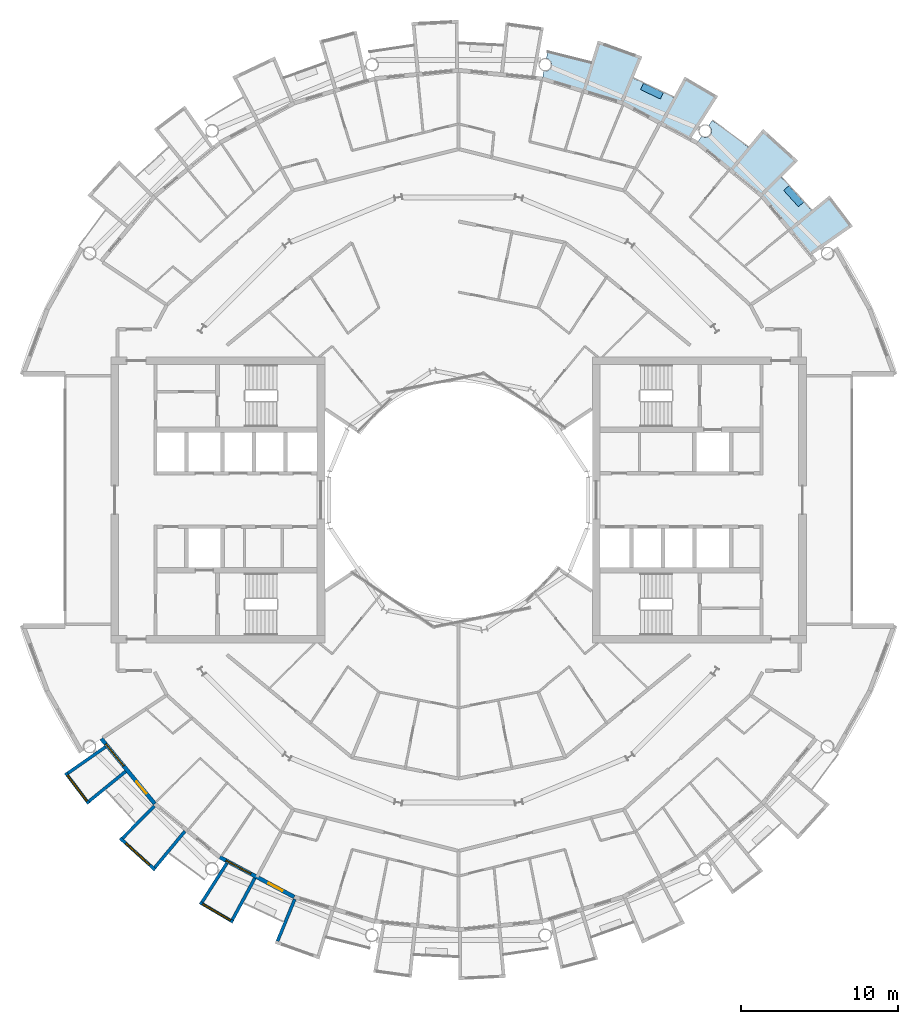
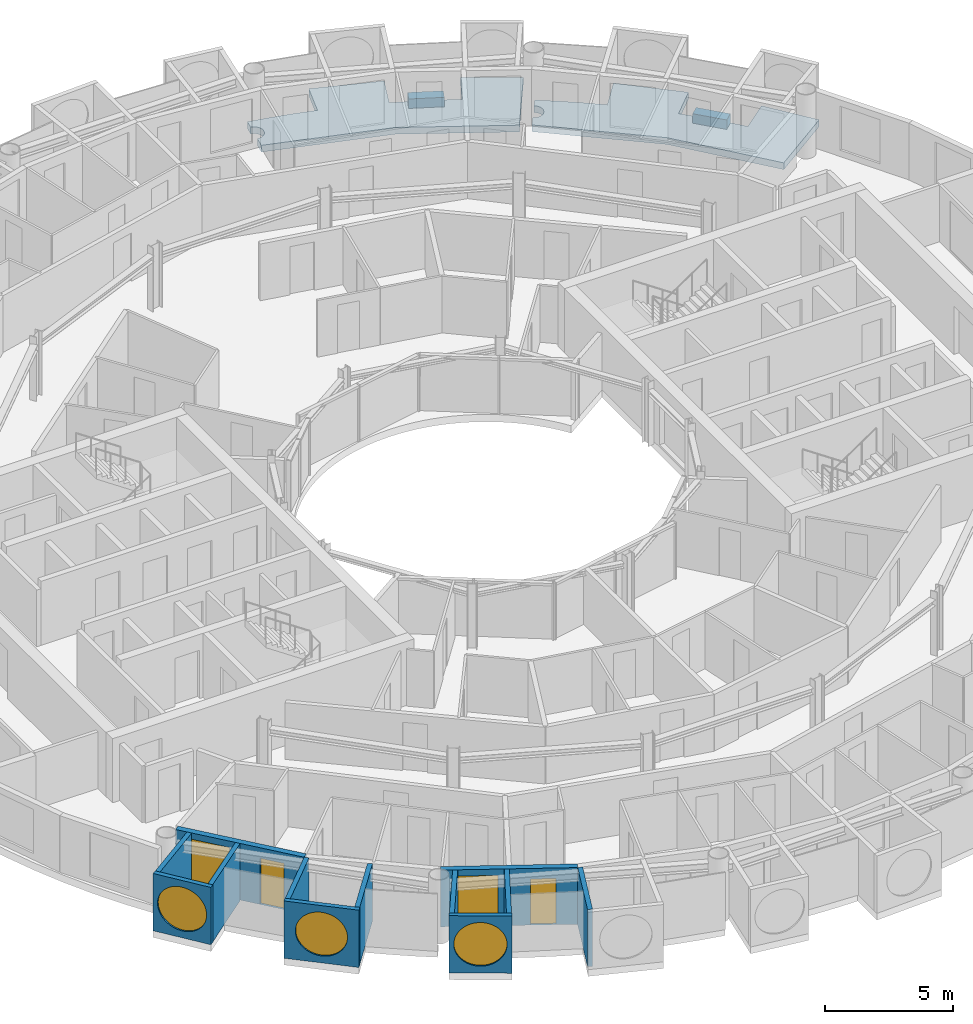
# One storey, part 13 of 26: 12 walls, 5 windows, 4 slabs, 2 doors, 7 openings.
"""IFC4 building model written with IfcOpenShell, lengths in metres."""

from ifc_helpers import new_model, si_unit, direction, frame, frame_2d, origin, place, context, subcontext, project, spatial, polyline, rectangle, circle, outline, extrude, material, layer, layer_set, type_object, element, fill, save


model = new_model("IFC4")

# Units and contexts
model_context = context("Model", 3, precision=1e-05, world=origin(), true_north=direction((0.0, 1.0)))
body_context = subcontext(model_context, "Body", "Model", "MODEL_VIEW")
ifc_project = project(units=[si_unit("LENGTHUNIT", "METRE"), si_unit("AREAUNIT", "SQUARE_METRE"), si_unit("VOLUMEUNIT", "CUBIC_METRE"), si_unit("PLANEANGLEUNIT", "RADIAN"), si_unit("MASSUNIT", "GRAM", prefix="KILO")], contexts=[model_context])

# Site, building, storey
site_placement = place(None, origin())
site = spatial("IfcSite", under=ifc_project, at=site_placement, CompositionType="ELEMENT")
building_placement = place(site_placement, origin())
building = spatial("IfcBuilding", under=site, at=building_placement, Name="Maasbend Ring Residences", CompositionType="ELEMENT")
storey_placement = place(building_placement, frame((0.0, 0.0, 161.60009765625)))
storey = spatial("IfcBuildingStorey", under=building, at=storey_placement, Name="L46", CompositionType="ELEMENT", Elevation=161.60009765625)

# Slabs
ifc_material_1 = material(Name="Planting with climbing greenery")
ifc_layer_1 = layer(ifc_material_1, 0.449951171875)
ifc_layer_set_1 = layer_set([ifc_layer_1], Name="PLANTER-LG")
slab_type_1 = type_object("IfcSlabType", Name="PLANTER-LG", PredefinedType="USERDEFINED", material=ifc_layer_set_1)
slab_1_placement = place(storey_placement, frame((0.0, 0.0, -0.030029296875)))
element("IfcSlab", 1, at=slab_1_placement, inside=storey, type_object=slab_type_1, Name="Planter with climbing greenery 1", ObjectType="PLANTER", PredefinedType="USERDEFINED", context=body_context, shape_type="SweptSolid", body=[
    extrude(outline(polyline([(21.931884765625, 18.93310546875), (20.991943359375, 19.969970703125), (20.657958984375, 19.66796875), (21.597900390625, 18.631103515625), (21.931884765625, 18.93310546875)])), origin(), (0.0, 0.0, 1.0), 0.449951171875),
])
slab_2_placement = place(storey_placement, frame((0.0, 0.0, -0.030029296875)))
element("IfcSlab", 2, at=slab_2_placement, inside=storey, type_object=slab_type_1, Name="Planter with climbing greenery 2", ObjectType="PLANTER", PredefinedType="USERDEFINED", context=body_context, shape_type="SweptSolid", body=[
    extrude(outline(polyline([(13.01708984375, 25.885009765625), (11.7509765625, 26.48291015625), (11.55908203125, 26.076904296875), (12.824951171875, 25.47802734375), (13.01708984375, 25.885009765625)])), origin(), (0.0, 0.0, 1.0), 0.449951171875),
])
ifc_material_2 = material(Name="Concrete C40/50", Category="concrete")
ifc_layer_2 = layer(ifc_material_2, 0.199951171875)
ifc_layer_set_2 = layer_set([ifc_layer_2], Name="Concrete C40/50")
slab_type_2 = type_object("IfcSlabType", Name="SL-LOGGIA", PredefinedType="FLOOR", material=ifc_layer_set_2)
slab_3_placement = place(storey_placement, frame((0.0, 0.0, -0.35009765625)))
element("IfcSlab", 3, at=slab_3_placement, inside=storey, type_object=slab_type_2, Name="Loggia floor 2", PredefinedType="FLOOR", context=body_context, shape_type="SweptSolid", body=[
    extrude(outline(polyline([(5.451904296875, 27.2548828125), (5.4619140625, 27.25390625), (5.471923828125, 27.2529296875), (5.48193359375, 27.251953125), (5.491943359375, 27.251953125), (5.501953125, 27.251953125), (5.510986328125, 27.251953125), (5.52099609375, 27.251953125), (5.531005859375, 27.2529296875), (5.541015625, 27.25390625), (5.551025390625, 27.2548828125), (5.56103515625, 27.256103515625), (5.571044921875, 27.258056640625), (5.5810546875, 27.259033203125), (5.591064453125, 27.260986328125), (5.60009765625, 27.263916015625), (5.610107421875, 27.26611328125), (5.6201171875, 27.26904296875), (5.62890625, 27.27197265625), (5.637939453125, 27.27490234375), (5.64794921875, 27.279052734375), (5.656982421875, 27.282958984375), (5.666015625, 27.285888671875), (5.675048828125, 27.291015625), (5.68408203125, 27.294921875), (5.693115234375, 27.300048828125), (5.701904296875, 27.303955078125), (5.7099609375, 27.30908203125), (5.718994140625, 27.31494140625), (5.72705078125, 27.320068359375), (5.736083984375, 27.325927734375), (5.743896484375, 27.33203125), (5.751953125, 27.337890625), (5.759033203125, 27.343994140625), (5.76708984375, 27.35009765625), (5.77392578125, 27.35693359375), (5.781982421875, 27.364013671875), (5.7890625, 27.37109375), (5.7958984375, 27.3779296875), (5.802978515625, 27.385009765625), (5.80908203125, 27.39306640625), (5.81591796875, 27.39990234375), (5.822021484375, 27.407958984375), (5.827880859375, 27.416015625), (5.833984375, 27.424072265625), (5.839111328125, 27.431884765625), (5.844970703125, 27.44091796875), (5.85009765625, 27.448974609375), (5.85498046875, 27.4580078125), (5.860107421875, 27.466064453125), (5.864990234375, 27.47509765625), (5.868896484375, 27.48388671875), (5.873046875, 27.492919921875), (5.876953125, 27.5029296875), (5.881103515625, 27.511962890625), (5.884033203125, 27.52099609375), (5.886962890625, 27.531005859375), (5.889892578125, 27.5400390625), (5.89306640625, 27.550048828125), (5.89599609375, 27.55908203125), (5.89794921875, 27.569091796875), (5.89990234375, 27.5791015625), (5.902099609375, 27.589111328125), (5.904052734375, 27.597900390625), (5.905029296875, 27.60791015625), (5.906005859375, 27.617919921875), (5.906982421875, 27.6279296875), (5.907958984375, 27.637939453125), (5.907958984375, 27.64794921875), (5.907958984375, 27.657958984375), (5.907958984375, 27.66796875), (5.907958984375, 27.677978515625), (5.906982421875, 27.68798828125), (5.906005859375, 27.697998046875), (5.905029296875, 27.7080078125), (5.904052734375, 27.718017578125), (5.902099609375, 27.72802734375), (5.89990234375, 27.737060546875), (5.89794921875, 27.7470703125), (5.89599609375, 27.757080078125), (5.89306640625, 27.76708984375), (5.889892578125, 27.77587890625), (5.886962890625, 27.785888671875), (5.884033203125, 27.794921875), (5.881103515625, 27.803955078125), (5.876953125, 27.81396484375), (5.873046875, 27.822998046875), (5.868896484375, 27.83203125), (5.864990234375, 27.841064453125), (5.860107421875, 27.85009765625), (5.85498046875, 27.85791015625), (5.85009765625, 27.866943359375), (5.844970703125, 27.8759765625), (5.839111328125, 27.884033203125), (5.833984375, 27.89208984375), (5.827880859375, 27.89990234375), (5.822021484375, 27.907958984375), (5.81591796875, 27.916015625), (5.80908203125, 27.924072265625), (5.802978515625, 27.930908203125), (5.7958984375, 27.93798828125), (5.7890625, 27.946044921875), (5.781982421875, 27.952880859375), (5.77392578125, 27.958984375), (5.76708984375, 27.966064453125), (5.759033203125, 27.971923828125), (5.751953125, 27.97900390625), (5.743896484375, 27.985107421875), (5.736083984375, 27.989990234375), (5.72705078125, 27.99609375), (5.718994140625, 28.001953125), (5.7099609375, 28.007080078125), (5.701904296875, 28.011962890625), (5.693115234375, 28.01708984375), (5.68408203125, 28.02099609375), (5.675048828125, 28.02587890625), (5.666015625, 28.030029296875), (5.656982421875, 28.033935546875), (5.64794921875, 28.037109375), (5.637939453125, 28.041015625), (5.62890625, 28.0439453125), (5.6201171875, 28.047119140625), (5.610107421875, 28.050048828125), (5.60009765625, 28.052001953125), (5.591064453125, 28.054931640625), (5.5810546875, 28.056884765625), (5.657958984375, 28.443115234375), (5.657958984375, 28.443115234375), (5.657958984375, 28.443115234375), (6.5849609375, 28.241943359375), (6.5849609375, 28.241943359375), (7.506103515625, 28.011962890625), (7.506103515625, 28.011962890625), (8.41796875, 27.7509765625), (8.41796875, 27.7509765625), (8.41796875, 27.7509765625), (8.41796875, 27.7509765625), (8.41796875, 27.7509765625), (8.41796875, 27.7509765625), (8.41796875, 27.7509765625), (8.41796875, 27.7509765625), (8.41796875, 27.7509765625), (8.41796875, 27.7509765625), (8.41796875, 27.751953125), (8.41796875, 27.751953125), (8.41796875, 27.751953125), (8.41796875, 27.751953125), (8.41796875, 27.751953125), (8.41796875, 27.751953125), (8.41796875, 27.751953125), (8.85400390625, 29.18701171875), (8.85400390625, 29.18701171875), (8.85400390625, 29.18701171875), (11.672119140625, 28.177978515625), (11.672119140625, 28.177978515625), (11.672119140625, 28.177978515625), (11.097900390625, 26.79296875), (11.097900390625, 26.79296875), (11.097900390625, 26.79296875), (11.097900390625, 26.79296875), (11.097900390625, 26.79296875), (11.097900390625, 26.79296875), (11.097900390625, 26.79296875), (11.097900390625, 26.79296875), (11.097900390625, 26.79296875), (11.097900390625, 26.79296875), (11.097900390625, 26.7919921875), (11.097900390625, 26.7919921875), (11.097900390625, 26.7919921875), (11.097900390625, 26.7919921875), (11.097900390625, 26.7919921875), (11.097900390625, 26.7919921875), (11.097900390625, 26.7919921875), (11.968994140625, 26.4150390625), (11.968994140625, 26.4150390625), (12.825927734375, 26.009033203125), (12.825927734375, 26.009033203125), (13.669921875, 25.575927734375), (13.669921875, 25.575927734375), (13.669921875, 25.575927734375), (13.669921875, 25.575927734375), (13.669921875, 25.575927734375), (13.669921875, 25.575927734375), (13.669921875, 25.575927734375), (13.669921875, 25.575927734375), (13.669921875, 25.575927734375), (13.669921875, 25.575927734375), (13.6708984375, 25.575927734375), (13.6708984375, 25.575927734375), (13.6708984375, 25.575927734375), (13.6708984375, 25.575927734375), (13.6708984375, 25.575927734375), (13.6708984375, 25.575927734375), (13.6708984375, 25.575927734375), (14.3779296875, 26.89892578125), (14.3779296875, 26.89892578125), (14.3779296875, 26.89892578125), (16.487060546875, 25.659912109375), (16.487060546875, 25.659912109375), (16.487060546875, 25.659912109375), (14.73291015625, 22.930908203125), (14.73291015625, 22.930908203125), (14.73291015625, 22.930908203125), (12.806884765625, 23.9609375), (10.447021484375, 25.221923828125), (10.447021484375, 25.221923828125), (10.447021484375, 25.221923828125), (7.886962890625, 25.9990234375), (5.325927734375, 26.77490234375), (5.325927734375, 26.77490234375), (5.325927734375, 26.77490234375), (5.422119140625, 27.259033203125), (5.431884765625, 27.258056640625), (5.44189453125, 27.256103515625), (5.451904296875, 27.2548828125)])), origin(), (0.0, 0.0, 1.0), 0.320068359375),
])
slab_4_placement = place(storey_placement, frame((0.0, 0.0, -0.35009765625)))
element("IfcSlab", 4, at=slab_4_placement, inside=storey, type_object=slab_type_2, Name="Loggia floor 5", PredefinedType="FLOOR", context=body_context, shape_type="SweptSolid", body=[
    extrude(outline(polyline([(15.4580078125, 23.09912109375), (15.467041015625, 23.093994140625), (15.47509765625, 23.089111328125), (15.48388671875, 23.083984375), (15.492919921875, 23.080078125), (15.501953125, 23.075927734375), (15.511962890625, 23.072021484375), (15.52099609375, 23.068115234375), (15.530029296875, 23.06494140625), (15.5400390625, 23.06103515625), (15.549072265625, 23.05810546875), (15.55908203125, 23.055908203125), (15.568115234375, 23.052978515625), (15.577880859375, 23.051025390625), (15.587890625, 23.049072265625), (15.597900390625, 23.047119140625), (15.60693359375, 23.044921875), (15.616943359375, 23.0439453125), (15.626953125, 23.04296875), (15.636962890625, 23.0419921875), (15.64697265625, 23.041015625), (15.656982421875, 23.041015625), (15.6669921875, 23.041015625), (15.677001953125, 23.041015625), (15.68701171875, 23.041015625), (15.697021484375, 23.0419921875), (15.70703125, 23.04296875), (15.717041015625, 23.0439453125), (15.72705078125, 23.044921875), (15.737060546875, 23.047119140625), (15.74609375, 23.049072265625), (15.756103515625, 23.051025390625), (15.76611328125, 23.052978515625), (15.77587890625, 23.055908203125), (15.784912109375, 23.05810546875), (15.794921875, 23.06103515625), (15.803955078125, 23.06494140625), (15.81298828125, 23.068115234375), (15.822998046875, 23.072021484375), (15.83203125, 23.075927734375), (15.841064453125, 23.080078125), (15.85009765625, 23.083984375), (15.85888671875, 23.089111328125), (15.866943359375, 23.093994140625), (15.8759765625, 23.09912109375), (15.885009765625, 23.10400390625), (15.89306640625, 23.10888671875), (15.90087890625, 23.114990234375), (15.908935546875, 23.12109375), (15.9169921875, 23.126953125), (15.925048828125, 23.133056640625), (15.93310546875, 23.139892578125), (15.93994140625, 23.14599609375), (15.947021484375, 23.153076171875), (15.955078125, 23.159912109375), (15.9619140625, 23.1669921875), (15.968017578125, 23.174072265625), (15.97509765625, 23.181884765625), (15.98095703125, 23.18994140625), (15.988037109375, 23.197021484375), (15.993896484375, 23.205078125), (15.9990234375, 23.212890625), (16.0048828125, 23.221923828125), (16.010986328125, 23.22998046875), (16.01611328125, 23.238037109375), (16.02099609375, 23.2470703125), (16.02587890625, 23.256103515625), (16.030029296875, 23.264892578125), (16.034912109375, 23.27392578125), (16.0390625, 23.282958984375), (16.04296875, 23.2919921875), (16.0458984375, 23.301025390625), (16.050048828125, 23.31005859375), (16.052978515625, 23.320068359375), (16.055908203125, 23.3291015625), (16.05908203125, 23.339111328125), (16.06103515625, 23.34912109375), (16.06396484375, 23.35791015625), (16.06591796875, 23.367919921875), (16.068115234375, 23.3779296875), (16.069091796875, 23.387939453125), (16.071044921875, 23.39794921875), (16.072021484375, 23.407958984375), (16.072021484375, 23.4169921875), (16.072998046875, 23.427001953125), (16.072998046875, 23.43701171875), (16.073974609375, 23.447021484375), (16.072998046875, 23.45703125), (16.072998046875, 23.467041015625), (16.072021484375, 23.47705078125), (16.072021484375, 23.487060546875), (16.071044921875, 23.4970703125), (16.069091796875, 23.507080078125), (16.068115234375, 23.51708984375), (16.06591796875, 23.527099609375), (16.06396484375, 23.535888671875), (16.06103515625, 23.5458984375), (16.05908203125, 23.555908203125), (16.055908203125, 23.56494140625), (16.052978515625, 23.574951171875), (16.050048828125, 23.583984375), (16.0458984375, 23.593994140625), (16.04296875, 23.60302734375), (16.0390625, 23.612060546875), (16.034912109375, 23.62109375), (16.030029296875, 23.6298828125), (16.02587890625, 23.638916015625), (16.02099609375, 23.64794921875), (16.01611328125, 23.656005859375), (16.010986328125, 23.6650390625), (16.0048828125, 23.673095703125), (15.9990234375, 23.680908203125), (15.993896484375, 23.68994140625), (15.988037109375, 23.697021484375), (15.98095703125, 23.705078125), (15.97509765625, 23.712890625), (15.968017578125, 23.719970703125), (15.9619140625, 23.72802734375), (15.955078125, 23.735107421875), (15.947021484375, 23.741943359375), (15.93994140625, 23.7490234375), (15.93310546875, 23.7548828125), (15.925048828125, 23.761962890625), (15.9169921875, 23.76806640625), (15.908935546875, 23.77392578125), (15.90087890625, 23.780029296875), (15.89306640625, 23.784912109375), (15.89306640625, 23.784912109375), (16.112060546875, 24.113037109375), (16.112060546875, 24.113037109375), (16.112060546875, 24.113037109375), (16.89208984375, 23.572998046875), (16.89208984375, 23.572998046875), (17.654052734375, 23.007080078125), (17.654052734375, 23.007080078125), (18.39697265625, 22.41796875), (18.39697265625, 22.41796875), (18.39697265625, 22.41796875), (18.39697265625, 22.41796875), (18.39697265625, 22.41796875), (18.39697265625, 22.41796875), (18.39697265625, 22.41796875), (18.39697265625, 22.41796875), (18.39697265625, 22.41796875), (18.39697265625, 22.41796875), (18.39697265625, 22.41796875), (18.39794921875, 22.41796875), (18.39794921875, 22.41796875), (18.39794921875, 22.41796875), (18.39794921875, 22.41796875), (18.39794921875, 22.41796875), (18.39794921875, 22.41796875), (19.34912109375, 23.576904296875), (19.34912109375, 23.576904296875), (19.34912109375, 23.576904296875), (21.56689453125, 21.56689453125), (21.56689453125, 21.56689453125), (21.56689453125, 21.56689453125), (20.506103515625, 20.506103515625), (20.506103515625, 20.506103515625), (20.506103515625, 20.506103515625), (20.506103515625, 20.506103515625), (20.506103515625, 20.506103515625), (20.506103515625, 20.506103515625), (20.506103515625, 20.506103515625), (20.506103515625, 20.506103515625), (20.506103515625, 20.506103515625), (20.506103515625, 20.506103515625), (20.506103515625, 20.506103515625), (20.506103515625, 20.506103515625), (20.506103515625, 20.506103515625), (20.506103515625, 20.506103515625), (20.506103515625, 20.506103515625), (20.506103515625, 20.506103515625), (20.506103515625, 20.506103515625), (21.166015625, 19.823974609375), (21.166015625, 19.823974609375), (21.802978515625, 19.12109375), (21.802978515625, 19.12109375), (22.4169921875, 18.39794921875), (22.4169921875, 18.39794921875), (22.4169921875, 18.39794921875), (22.4169921875, 18.39794921875), (22.4169921875, 18.39794921875), (22.4169921875, 18.39794921875), (22.4169921875, 18.39794921875), (22.4169921875, 18.39794921875), (22.4169921875, 18.39794921875), (22.4169921875, 18.39794921875), (22.4169921875, 18.39794921875), (22.4169921875, 18.39794921875), (22.41796875, 18.39794921875), (22.41796875, 18.39794921875), (22.41796875, 18.39794921875), (22.41796875, 18.39794921875), (22.41796875, 18.39794921875), (23.576904296875, 19.34912109375), (23.576904296875, 19.34912109375), (23.576904296875, 19.34912109375), (25.051025390625, 17.39794921875), (25.051025390625, 17.39794921875), (25.051025390625, 17.39794921875), (22.386962890625, 15.547119140625), (22.386962890625, 15.547119140625), (22.386962890625, 15.547119140625), (21.001953125, 17.236083984375), (19.303955078125, 19.303955078125), (19.303955078125, 19.303955078125), (19.303955078125, 19.303955078125), (17.236083984375, 21.001953125), (15.1669921875, 22.698974609375), (15.1669921875, 22.698974609375), (15.1669921875, 22.698974609375), (15.44091796875, 23.10888671875), (15.44091796875, 23.10888671875), (15.449951171875, 23.10400390625), (15.4580078125, 23.09912109375)])), origin(), (0.0, 0.0, 1.0), 0.320068359375),
])

# Wall, opening, window
ifc_material_3 = material(Name="Pale anodised aluminium panel", Category="aluminium")
ifc_layer_3 = layer(ifc_material_3, 0.199951171875)
ifc_layer_set_3 = layer_set([ifc_layer_3], Name="EW-BOX")
wall_type_1 = type_object("IfcWallType", Name="EW-BOX", PredefinedType="SOLIDWALL", material=ifc_layer_set_3)
wall_1_placement = place(storey_placement, frame((-24.971923828125, -17.3369140625, -0.030029296875), z_axis=(0.0, 0.0, 1.0), x_axis=(0.602806268067, -0.797887588059, 0.0)))
wall_1 = element("IfcWall", 5, at=wall_1_placement, inside=storey, type_object=wall_type_1, Name="Box front S01", PredefinedType="SOLIDWALL", context=body_context, shape_type="SweptSolid", body=[
    extrude(rectangle(XDim=2.446533203125, YDim=0.199951171875, at=frame_2d((1.22314453125, 0.0))), origin(), (0.0, 0.0, 1.0), 2.72998046875),
])
opening_1_placement = place(wall_1_placement, frame((0.182861328125, 0.0, 0.330078125)))
opening_1 = element("IfcOpeningElement", 6, at=opening_1_placement, cuts=wall_1, Name="Opening W-RD", PredefinedType="OPENING", context=body_context, shape_type="SweptSolid", body=[
    extrude(circle(Radius=1.0400390625, at=frame_2d((1.0400390625, 1.0400390625))), frame((0.0, 0.10986328125, 0.0), z_axis=(0.0, -1.0, 0.0), x_axis=(1.0, 0.0, 0.0)), (0.0, 0.0, 1.0), 0.219970703125),
])
ifc_material_4 = material(Name="Aluminium and clear glass", Category="aluminium")
window_type_1 = type_object("IfcWindowType", Name="W-RD", PartitioningType="SINGLE_PANEL", PredefinedType="WINDOW", material=ifc_material_4)
window_1_placement = place(opening_1_placement, origin())
window_1 = element("IfcWindow", 7, at=window_1_placement, inside=storey, type_object=window_type_1, Name="Round window S01", OverallHeight=2.080078125, OverallWidth=2.080078125, PartitioningType="SINGLE_PANEL", PredefinedType="WINDOW", context=body_context, shape_type="SweptSolid", body=[
    extrude(circle(Radius=1.0400390625, at=frame_2d((1.0400390625, 1.0400390625))), frame((0.0, 0.030029296875, 0.0), z_axis=(0.0, -1.0, 0.0), x_axis=(1.0, 0.0, 0.0)), (0.0, 0.0, 1.0), 0.06005859375),
])
fill(opening_1, window_1)

# Walls
wall_2_placement = place(storey_placement, frame((-22.43310546875, -15.68798828125, -0.030029296875), z_axis=(0.0, 0.0, 1.0), x_axis=(-0.819373043115, -0.573260687834, 0.0)))
element("IfcWall", 8, at=wall_2_placement, inside=storey, type_object=wall_type_1, Name="Box side wall S01 left", PredefinedType="SOLIDWALL", context=body_context, shape_type="SweptSolid", body=[
    extrude(rectangle(XDim=2.92529296875, YDim=0.199951171875, at=frame_2d((1.462646484375, 0.0))), origin(), (0.0, 0.0, 1.0), 2.72998046875),
])
wall_3_placement = place(storey_placement, frame((-21.155029296875, -17.24609375, -0.030029296875), z_axis=(0.0, 0.0, 1.0), x_axis=(-0.775179004516, -0.631741648902, 0.0)))
element("IfcWall", 9, at=wall_3_placement, inside=storey, type_object=wall_type_1, Name="Box side wall S01 right", PredefinedType="SOLIDWALL", context=body_context, shape_type="SweptSolid", body=[
    extrude(rectangle(XDim=3.005859375, YDim=0.199951171875, at=frame_2d((1.5029296875, 0.0))), origin(), (0.0, 0.0, 1.0), 2.72998046875),
])

# Wall, opening, window
wall_4_placement = place(storey_placement, frame((-21.5, -21.492919921875, -0.030029296875), z_axis=(0.0, 0.0, 1.0), x_axis=(0.740998365753, -0.671506829416, 0.0)))
wall_4 = element("IfcWall", 10, at=wall_4_placement, inside=storey, type_object=wall_type_1, Name="Box front S03", PredefinedType="SOLIDWALL", context=body_context, shape_type="SweptSolid", body=[
    extrude(rectangle(XDim=2.9931640625, YDim=0.199951171875, at=frame_2d((1.49658203125, 0.0))), origin(), (0.0, 0.0, 1.0), 2.72998046875),
])
opening_2_placement = place(wall_4_placement, frame((0.45654296875, 0.0, 0.330078125)))
opening_2 = element("IfcOpeningElement", 11, at=opening_2_placement, cuts=wall_4, Name="Opening W-RD", PredefinedType="OPENING", context=body_context, shape_type="SweptSolid", body=[
    extrude(circle(Radius=1.0400390625, at=frame_2d((1.0400390625, 1.0400390625))), frame((0.0, 0.10986328125, 0.0), z_axis=(0.0, -1.0, 0.0), x_axis=(1.0, 0.0, 0.0)), (0.0, 0.0, 1.0), 0.219970703125),
])
window_2_placement = place(opening_2_placement, origin())
window_2 = element("IfcWindow", 12, at=window_2_placement, inside=storey, type_object=window_type_1, Name="Round window S03", OverallHeight=2.080078125, OverallWidth=2.080078125, PartitioningType="SINGLE_PANEL", PredefinedType="WINDOW", context=body_context, shape_type="SweptSolid", body=[
    extrude(circle(Radius=1.0400390625, at=frame_2d((1.0400390625, 1.0400390625))), frame((0.0, 0.030029296875, 0.0), z_axis=(0.0, -1.0, 0.0), x_axis=(1.0, 0.0, 0.0)), (0.0, 0.0, 1.0), 0.06005859375),
])
fill(opening_2, window_2)

# Walls
wall_5_placement = place(storey_placement, frame((-19.322998046875, -19.449951171875, -0.030029296875), z_axis=(0.0, 0.0, 1.0), x_axis=(-0.704476739375, -0.709727076896, 0.0)))
element("IfcWall", 13, at=wall_5_placement, inside=storey, type_object=wall_type_1, Name="Box side wall S03 left", PredefinedType="SOLIDWALL", context=body_context, shape_type="SweptSolid", body=[
    extrude(rectangle(XDim=2.883056640625, YDim=0.199951171875, at=frame_2d((1.44140625, 0.0))), origin(), (0.0, 0.0, 1.0), 2.72998046875),
])
wall_6_placement = place(storey_placement, frame((-17.384033203125, -21.041015625, -0.030029296875), z_axis=(0.0, 0.0, 1.0), x_axis=(-0.63709551667, -0.770784861449, 0.0)))
element("IfcWall", 14, at=wall_6_placement, inside=storey, type_object=wall_type_1, Name="Box side wall S03 right", PredefinedType="SOLIDWALL", context=body_context, shape_type="SweptSolid", body=[
    extrude(rectangle(XDim=3.005859375, YDim=0.199951171875, at=frame_2d((1.5029296875, 0.0))), origin(), (0.0, 0.0, 1.0), 2.72998046875),
])

# Wall, opening, window
wall_7_placement = place(storey_placement, frame((-16.43603515625, -25.573974609375, -0.030029296875), z_axis=(0.0, 0.0, 1.0), x_axis=(0.862403467503, -0.506221551535, 0.0)))
wall_7 = element("IfcWall", 15, at=wall_7_placement, inside=storey, type_object=wall_type_1, Name="Box front S05", PredefinedType="SOLIDWALL", context=body_context, shape_type="SweptSolid", body=[
    extrude(rectangle(XDim=2.445556640625, YDim=0.199951171875, at=frame_2d((1.22265625, 0.0))), origin(), (0.0, 0.0, 1.0), 2.72998046875),
])
opening_3_placement = place(wall_7_placement, frame((0.182861328125, 0.0, 0.330078125)))
opening_3 = element("IfcOpeningElement", 16, at=opening_3_placement, cuts=wall_7, Name="Opening W-RD", PredefinedType="OPENING", context=body_context, shape_type="SweptSolid", body=[
    extrude(circle(Radius=1.0400390625, at=frame_2d((1.0400390625, 1.0400390625))), frame((0.0, 0.10986328125, 0.0), z_axis=(0.0, -1.0, 0.0), x_axis=(1.0, 0.0, 0.0)), (0.0, 0.0, 1.0), 0.219970703125),
])
window_3_placement = place(opening_3_placement, origin())
window_3 = element("IfcWindow", 17, at=window_3_placement, inside=storey, type_object=window_type_1, Name="Round window S05", OverallHeight=2.080078125, OverallWidth=2.080078125, PartitioningType="SINGLE_PANEL", PredefinedType="WINDOW", context=body_context, shape_type="SweptSolid", body=[
    extrude(circle(Radius=1.0400390625, at=frame_2d((1.0400390625, 1.0400390625))), frame((0.0, 0.030029296875, 0.0), z_axis=(0.0, -1.0, 0.0), x_axis=(1.0, 0.0, 0.0)), (0.0, 0.0, 1.0), 0.06005859375),
])
fill(opening_3, window_3)

# Walls
wall_8_placement = place(storey_placement, frame((-14.721923828125, -23.0791015625, -0.030029296875), z_axis=(0.0, 0.0, 1.0), x_axis=(-0.537572179146, -0.843217737129, 0.0)))
element("IfcWall", 18, at=wall_8_placement, inside=storey, type_object=wall_type_1, Name="Box side wall S05 left", PredefinedType="SOLIDWALL", context=body_context, shape_type="SweptSolid", body=[
    extrude(rectangle(XDim=2.92431640625, YDim=0.199951171875, at=frame_2d((1.462158203125, 0.0))), origin(), (0.0, 0.0, 1.0), 2.72998046875),
])
wall_9_placement = place(storey_placement, frame((-12.945068359375, -24.029052734375, -0.030029296875), z_axis=(0.0, 0.0, 1.0), x_axis=(-0.474424310775, -0.88029629861, 0.0)))
element("IfcWall", 19, at=wall_9_placement, inside=storey, type_object=wall_type_1, Name="Box side wall S05 right", PredefinedType="SOLIDWALL", context=body_context, shape_type="SweptSolid", body=[
    extrude(rectangle(XDim=3.005859375, YDim=0.199951171875, at=frame_2d((1.5029296875, 0.0))), origin(), (0.0, 0.0, 1.0), 2.72998046875),
])
wall_10_placement = place(storey_placement, frame((-10.408935546875, -25.364013671875, -0.030029296875), z_axis=(0.0, 0.0, 1.0), x_axis=(-0.379509886562, -0.925187681501, 0.0)))
element("IfcWall", 20, at=wall_10_placement, inside=storey, type_object=wall_type_1, Name="Box side wall S07 left", PredefinedType="SOLIDWALL", context=body_context, shape_type="SweptSolid", body=[
    extrude(rectangle(XDim=2.882568359375, YDim=0.199951171875, at=frame_2d((1.44140625, 0.0))), origin(), (0.0, 0.0, 1.0), 2.72998046875),
])

# Wall, openings, door, window
ifc_material_5 = material(Name="Aluminium clad insulated panel", Category="aluminium")
ifc_layer_4 = layer(ifc_material_5, 0.25)
ifc_layer_set_4 = layer_set([ifc_layer_4], Name="EW-GL")
wall_type_2 = type_object("IfcWallType", Name="EW-GL", PredefinedType="SOLIDWALL", material=ifc_layer_set_4)
wall_11_placement = place(storey_placement, frame((-22.698974609375, -15.1669921875, 0.0), z_axis=(0.0, 0.0, 1.0), x_axis=(0.634382322723, -0.773019449054, 0.0)))
wall_11 = element("IfcWall", 21, at=wall_11_placement, inside=storey, type_object=wall_type_2, Name="External wall S01", PredefinedType="SOLIDWALL", context=body_context, shape_type="SweptSolid", body=[
    extrude(rectangle(XDim=5.351806640625, YDim=0.25, at=frame_2d((2.67578125, 0.0))), origin(), (0.0, 0.0, 1.0), 2.699951171875),
])
opening_4_placement = place(wall_11_placement, frame((0.441162109375, 0.0, 0.300048828125)))
opening_4 = element("IfcOpeningElement", 22, at=opening_4_placement, cuts=wall_11, Name="Opening W-BX", PredefinedType="OPENING", context=body_context, shape_type="SweptSolid", body=[
    extrude(rectangle(XDim=1.800048828125, YDim=2.10009765625, at=frame_2d((0.89990234375, 1.050048828125))), frame((0.0, 0.135009765625, 0.0), z_axis=(0.0, -1.0, 0.0), x_axis=(1.0, 0.0, 0.0)), (0.0, 0.0, 1.0), 0.27001953125),
])
opening_5_placement = place(wall_11_placement, frame((3.510498046875, 0.0, 0.0)))
opening_5 = element("IfcOpeningElement", 23, at=opening_5_placement, cuts=wall_11, Name="Opening D-LG", PredefinedType="OPENING", context=body_context, shape_type="SweptSolid", body=[
    extrude(rectangle(XDim=1.0, YDim=2.199951171875, at=frame_2d((0.5, 1.10009765625))), frame((0.0, 0.135009765625, 0.0), z_axis=(0.0, -1.0, 0.0), x_axis=(1.0, 0.0, 0.0)), (0.0, 0.0, 1.0), 0.27001953125),
])
ifc_material_6 = material(Name="Aluminium and clear glass", Category="aluminium")
door_type = type_object("IfcDoorType", Name="D-LG", OperationType="SINGLE_SWING_LEFT", PredefinedType="DOOR", material=ifc_material_6)
door_1_placement = place(opening_5_placement, origin())
door_1 = element("IfcDoor", 24, at=door_1_placement, inside=storey, type_object=door_type, Name="Loggia door S02", OperationType="SINGLE_SWING_LEFT", OverallHeight=2.199951171875, OverallWidth=1.0, PredefinedType="DOOR", context=body_context, shape_type="SweptSolid", body=[
    extrude(rectangle(XDim=1.0, YDim=2.199951171875, at=frame_2d((0.5, 1.10009765625))), frame((0.0, 0.02490234375, 0.0), z_axis=(0.0, -1.0, 0.0), x_axis=(1.0, 0.0, 0.0)), (0.0, 0.0, 1.0), 0.050048828125),
])
fill(opening_5, door_1)
ifc_material_7 = material(Name="Aluminium and clear glass", Category="aluminium")
window_type_2 = type_object("IfcWindowType", Name="W-BX", PartitioningType="DOUBLE_PANEL_VERTICAL", PredefinedType="WINDOW", material=ifc_material_7)
window_4_placement = place(opening_4_placement, origin())
window_4 = element("IfcWindow", 25, at=window_4_placement, inside=storey, type_object=window_type_2, Name="Window S01 room to box", OverallHeight=2.10009765625, OverallWidth=1.800048828125, PartitioningType="SINGLE_PANEL", PredefinedType="WINDOW", context=body_context, shape_type="SweptSolid", body=[
    extrude(rectangle(XDim=1.800048828125, YDim=2.10009765625, at=frame_2d((0.89990234375, 1.050048828125))), frame((0.0, 0.030029296875, 0.0), z_axis=(0.0, -1.0, 0.0), x_axis=(1.0, 0.0, 0.0)), (0.0, 0.0, 1.0), 0.06005859375),
])
fill(opening_4, window_4)

wall_12_placement = place(storey_placement, frame((-15.1669921875, -22.698974609375, 0.0), z_axis=(0.0, 0.0, 1.0), x_axis=(0.881915646801, -0.471407246368, 0.0)))
wall_12 = element("IfcWall", 26, at=wall_12_placement, inside=storey, type_object=wall_type_2, Name="External wall S03", PredefinedType="SOLIDWALL", context=body_context, shape_type="SweptSolid", body=[
    extrude(rectangle(XDim=5.35205078125, YDim=0.25, at=frame_2d((2.676025390625, 0.0))), origin(), (0.0, 0.0, 1.0), 2.699951171875),
])
opening_6_placement = place(wall_12_placement, frame((0.441162109375, 0.0, 0.300048828125)))
opening_6 = element("IfcOpeningElement", 27, at=opening_6_placement, cuts=wall_12, Name="Opening W-BX", PredefinedType="OPENING", context=body_context, shape_type="SweptSolid", body=[
    extrude(rectangle(XDim=1.800048828125, YDim=2.10009765625, at=frame_2d((0.89990234375, 1.050048828125))), frame((0.0, 0.135009765625, 0.0), z_axis=(0.0, -1.0, 0.0), x_axis=(1.0, 0.0, 0.0)), (0.0, 0.0, 1.0), 0.27001953125),
])
opening_7_placement = place(wall_12_placement, frame((3.510498046875, 0.0, 0.0)))
opening_7 = element("IfcOpeningElement", 28, at=opening_7_placement, cuts=wall_12, Name="Opening D-LG", PredefinedType="OPENING", context=body_context, shape_type="SweptSolid", body=[
    extrude(rectangle(XDim=1.0, YDim=2.199951171875, at=frame_2d((0.5, 1.10009765625))), frame((0.0, 0.135009765625, 0.0), z_axis=(0.0, -1.0, 0.0), x_axis=(1.0, 0.0, 0.0)), (0.0, 0.0, 1.0), 0.27001953125),
])
door_2_placement = place(opening_7_placement, origin())
door_2 = element("IfcDoor", 29, at=door_2_placement, inside=storey, type_object=door_type, Name="Loggia door S06", OperationType="SINGLE_SWING_LEFT", OverallHeight=2.199951171875, OverallWidth=1.0, PredefinedType="DOOR", context=body_context, shape_type="SweptSolid", body=[
    extrude(rectangle(XDim=1.0, YDim=2.199951171875, at=frame_2d((0.5, 1.10009765625))), frame((0.0, 0.02490234375, 0.0), z_axis=(0.0, -1.0, 0.0), x_axis=(1.0, 0.0, 0.0)), (0.0, 0.0, 1.0), 0.050048828125),
])
fill(opening_7, door_2)
window_5_placement = place(opening_6_placement, origin())
window_5 = element("IfcWindow", 30, at=window_5_placement, inside=storey, type_object=window_type_2, Name="Window S05 room to box", OverallHeight=2.10009765625, OverallWidth=1.800048828125, PartitioningType="SINGLE_PANEL", PredefinedType="WINDOW", context=body_context, shape_type="SweptSolid", body=[
    extrude(rectangle(XDim=1.800048828125, YDim=2.10009765625, at=frame_2d((0.89990234375, 1.050048828125))), frame((0.0, 0.030029296875, 0.0), z_axis=(0.0, -1.0, 0.0), x_axis=(1.0, 0.0, 0.0)), (0.0, 0.0, 1.0), 0.06005859375),
])
fill(opening_6, window_5)

save(model, "model.ifc")
